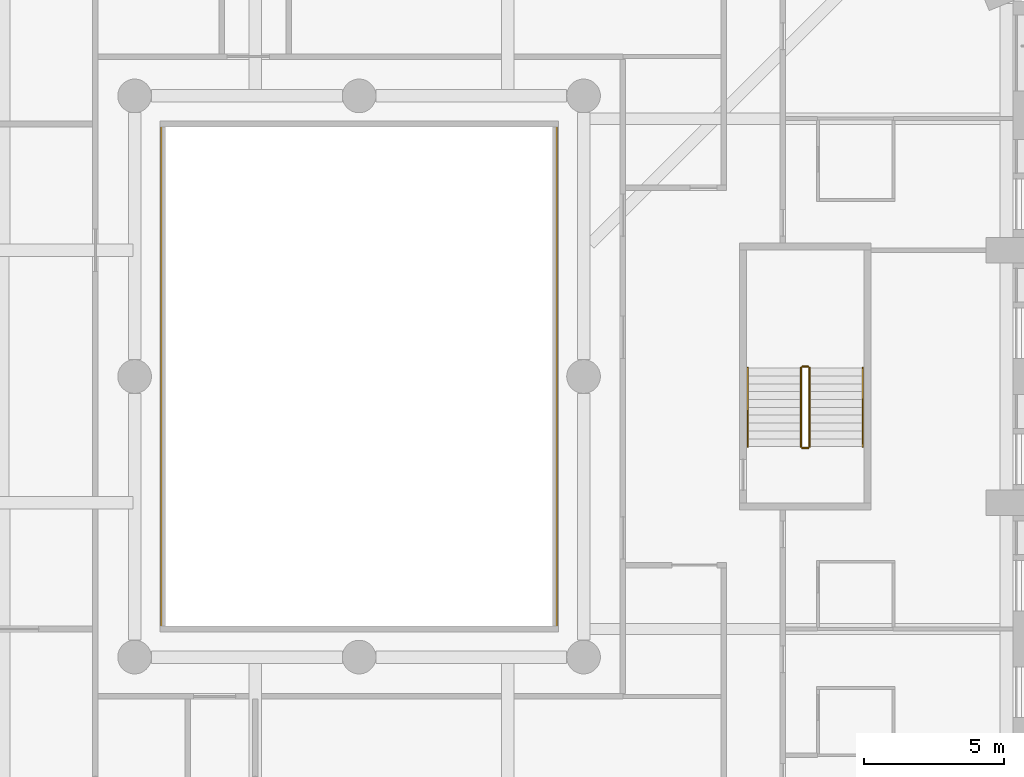
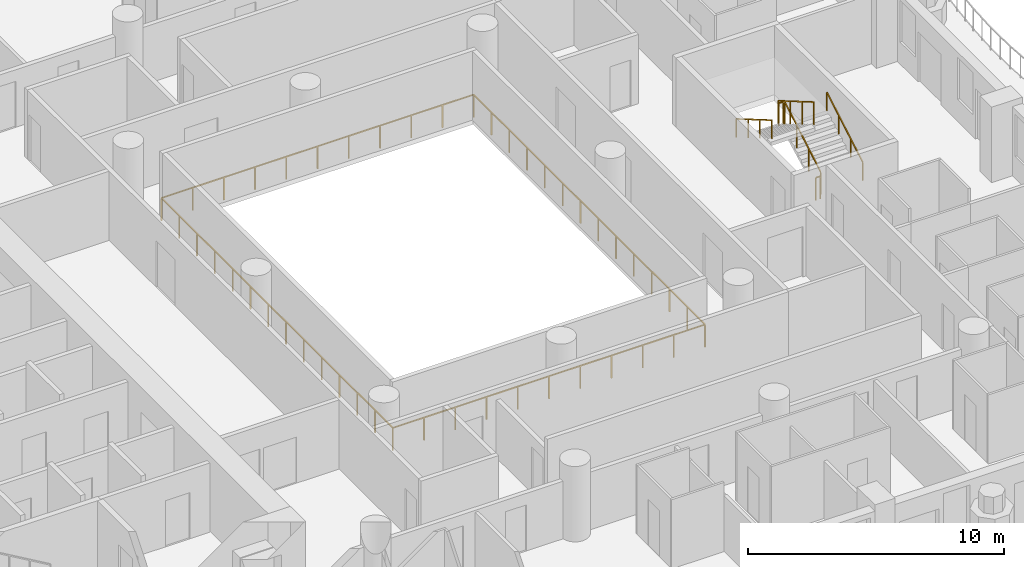
# One storey, part 15 of 20: 7 railings.
"""IFC4 building model written with IfcOpenShell, lengths in metres."""

from ifc_helpers import new_model, si_unit, direction, frame, origin, origin_2d, place, context, subcontext, project, spatial, rectangle, extrude, material, type_object, element, save


model = new_model("IFC4")

# Units and contexts
model_context = context("Model", 3, precision=1e-05, world=origin(), true_north=direction((0.0, 1.0)))
body_context = subcontext(model_context, "Body", "Model", "MODEL_VIEW")
ifc_project = project(units=[si_unit("LENGTHUNIT", "METRE"), si_unit("AREAUNIT", "SQUARE_METRE"), si_unit("VOLUMEUNIT", "CUBIC_METRE"), si_unit("PLANEANGLEUNIT", "RADIAN"), si_unit("MASSUNIT", "GRAM", prefix="KILO")], contexts=[model_context])

# Site, building, storey
site_placement = place(None, origin())
site = spatial("IfcSite", under=ifc_project, at=site_placement, CompositionType="ELEMENT")
building_placement = place(site_placement, origin())
building = spatial("IfcBuilding", under=site, at=building_placement, Name="Cypress Arch Tower", CompositionType="ELEMENT")
storey_placement = place(building_placement, frame((0.0, 0.0, 62.699951171875)))
storey = spatial("IfcBuildingStorey", under=building, at=storey_placement, Name="L09", CompositionType="ELEMENT", Elevation=62.699951171875)

# Railings
ifc_material_1 = material(Name="Stainless steel posts and handrail, laminated glass infill", Category="steel")
railing_type_1 = type_object("IfcRailingType", Name="Atrium guard GR1100A", PredefinedType="GUARDRAIL", material=ifc_material_1)
railing_1_placement = place(storey_placement, frame((8.050048828125, -9.050048828125, 0.0)))
element("IfcRailing", 1, at=railing_1_placement, inside=storey, type_object=railing_type_1, Name="Atrium guard L09", PredefinedType="GUARDRAIL", context=body_context, shape_type="SweptSolid", body=[
    extrude(rectangle(XDim=0.050048828125, YDim=0.050048828125, at=origin_2d()), frame((0.0, 0.0, 1.0751953125), z_axis=(-1.0, 0.0, 0.0), x_axis=(0.0, -1.0, 0.0)), (0.0, 0.0, 1.0), 14.10009765625),
    extrude(rectangle(XDim=0.050048828125, YDim=0.050048828125, at=origin_2d()), frame((-14.10009765625, 0.0, 1.0751953125), z_axis=(0.0, 1.0, 0.0), x_axis=(-1.0, 0.0, 0.0)), (0.0, 0.0, 1.0), 18.10009765625),
    extrude(rectangle(XDim=0.050048828125, YDim=0.050048828125, at=origin_2d()), frame((-14.10009765625, 18.10009765625, 1.0751953125), z_axis=(1.0, 0.0, 0.0), x_axis=(0.0, 1.0, 0.0)), (0.0, 0.0, 1.0), 14.10009765625),
    extrude(rectangle(XDim=0.050048828125, YDim=0.050048828125, at=origin_2d()), frame((0.0, 18.10009765625, 1.0751953125), z_axis=(0.0, -1.0, 0.0), x_axis=(1.0, 0.0, 0.0)), (0.0, 0.0, 1.0), 18.10009765625),
    extrude(rectangle(XDim=0.050048828125, YDim=0.050048828125, at=origin_2d()), origin(), (0.0, 0.0, 1.0), 1.050048828125),
    extrude(rectangle(XDim=0.050048828125, YDim=0.050048828125, at=origin_2d()), frame((-1.409912109375, 0.0, 0.0)), (0.0, 0.0, 1.0), 1.050048828125),
    extrude(rectangle(XDim=0.050048828125, YDim=0.050048828125, at=origin_2d()), frame((-2.820068359375, 0.0, 0.0)), (0.0, 0.0, 1.0), 1.050048828125),
    extrude(rectangle(XDim=0.050048828125, YDim=0.050048828125, at=origin_2d()), frame((-4.22998046875, 0.0, 0.0)), (0.0, 0.0, 1.0), 1.050048828125),
    extrude(rectangle(XDim=0.050048828125, YDim=0.050048828125, at=origin_2d()), frame((-5.64013671875, 0.0, 0.0)), (0.0, 0.0, 1.0), 1.050048828125),
    extrude(rectangle(XDim=0.050048828125, YDim=0.050048828125, at=origin_2d()), frame((-7.050048828125, 0.0, 0.0)), (0.0, 0.0, 1.0), 1.050048828125),
    extrude(rectangle(XDim=0.050048828125, YDim=0.050048828125, at=origin_2d()), frame((-8.4599609375, 0.0, 0.0)), (0.0, 0.0, 1.0), 1.050048828125),
    extrude(rectangle(XDim=0.050048828125, YDim=0.050048828125, at=origin_2d()), frame((-9.8701171875, 0.0, 0.0)), (0.0, 0.0, 1.0), 1.050048828125),
    extrude(rectangle(XDim=0.050048828125, YDim=0.050048828125, at=origin_2d()), frame((-11.280029296875, 0.0, 0.0)), (0.0, 0.0, 1.0), 1.050048828125),
    extrude(rectangle(XDim=0.050048828125, YDim=0.050048828125, at=origin_2d()), frame((-12.690185546875, 0.0, 0.0)), (0.0, 0.0, 1.0), 1.050048828125),
    extrude(rectangle(XDim=0.050048828125, YDim=0.050048828125, at=origin_2d()), frame((-14.10009765625, 0.0, 0.0)), (0.0, 0.0, 1.0), 1.050048828125),
    extrude(rectangle(XDim=0.050048828125, YDim=0.050048828125, at=origin_2d()), frame((-14.10009765625, 1.392333984375, 0.0)), (0.0, 0.0, 1.0), 1.050048828125),
    extrude(rectangle(XDim=0.050048828125, YDim=0.050048828125, at=origin_2d()), frame((-14.10009765625, 2.78466796875, 0.0)), (0.0, 0.0, 1.0), 1.050048828125),
    extrude(rectangle(XDim=0.050048828125, YDim=0.050048828125, at=origin_2d()), frame((-14.10009765625, 4.177001953125, 0.0)), (0.0, 0.0, 1.0), 1.050048828125),
    extrude(rectangle(XDim=0.050048828125, YDim=0.050048828125, at=origin_2d()), frame((-14.10009765625, 5.5693359375, 0.0)), (0.0, 0.0, 1.0), 1.050048828125),
    extrude(rectangle(XDim=0.050048828125, YDim=0.050048828125, at=origin_2d()), frame((-14.10009765625, 6.961669921875, 0.0)), (0.0, 0.0, 1.0), 1.050048828125),
    extrude(rectangle(XDim=0.050048828125, YDim=0.050048828125, at=origin_2d()), frame((-14.10009765625, 8.35400390625, 0.0)), (0.0, 0.0, 1.0), 1.050048828125),
    extrude(rectangle(XDim=0.050048828125, YDim=0.050048828125, at=origin_2d()), frame((-14.10009765625, 9.74609375, 0.0)), (0.0, 0.0, 1.0), 1.050048828125),
    extrude(rectangle(XDim=0.050048828125, YDim=0.050048828125, at=origin_2d()), frame((-14.10009765625, 11.138427734375, 0.0)), (0.0, 0.0, 1.0), 1.050048828125),
    extrude(rectangle(XDim=0.050048828125, YDim=0.050048828125, at=origin_2d()), frame((-14.10009765625, 12.53076171875, 0.0)), (0.0, 0.0, 1.0), 1.050048828125),
    extrude(rectangle(XDim=0.050048828125, YDim=0.050048828125, at=origin_2d()), frame((-14.10009765625, 13.923095703125, 0.0)), (0.0, 0.0, 1.0), 1.050048828125),
    extrude(rectangle(XDim=0.050048828125, YDim=0.050048828125, at=origin_2d()), frame((-14.10009765625, 15.3154296875, 0.0)), (0.0, 0.0, 1.0), 1.050048828125),
    extrude(rectangle(XDim=0.050048828125, YDim=0.050048828125, at=origin_2d()), frame((-14.10009765625, 16.707763671875, 0.0)), (0.0, 0.0, 1.0), 1.050048828125),
    extrude(rectangle(XDim=0.050048828125, YDim=0.050048828125, at=origin_2d()), frame((-14.10009765625, 18.10009765625, 0.0)), (0.0, 0.0, 1.0), 1.050048828125),
    extrude(rectangle(XDim=0.050048828125, YDim=0.050048828125, at=origin_2d()), frame((-12.690185546875, 18.10009765625, 0.0)), (0.0, 0.0, 1.0), 1.050048828125),
    extrude(rectangle(XDim=0.050048828125, YDim=0.050048828125, at=origin_2d()), frame((-11.280029296875, 18.10009765625, 0.0)), (0.0, 0.0, 1.0), 1.050048828125),
    extrude(rectangle(XDim=0.050048828125, YDim=0.050048828125, at=origin_2d()), frame((-9.8701171875, 18.10009765625, 0.0)), (0.0, 0.0, 1.0), 1.050048828125),
    extrude(rectangle(XDim=0.050048828125, YDim=0.050048828125, at=origin_2d()), frame((-8.4599609375, 18.10009765625, 0.0)), (0.0, 0.0, 1.0), 1.050048828125),
    extrude(rectangle(XDim=0.050048828125, YDim=0.050048828125, at=origin_2d()), frame((-7.050048828125, 18.10009765625, 0.0)), (0.0, 0.0, 1.0), 1.050048828125),
    extrude(rectangle(XDim=0.050048828125, YDim=0.050048828125, at=origin_2d()), frame((-5.64013671875, 18.10009765625, 0.0)), (0.0, 0.0, 1.0), 1.050048828125),
    extrude(rectangle(XDim=0.050048828125, YDim=0.050048828125, at=origin_2d()), frame((-4.22998046875, 18.10009765625, 0.0)), (0.0, 0.0, 1.0), 1.050048828125),
    extrude(rectangle(XDim=0.050048828125, YDim=0.050048828125, at=origin_2d()), frame((-2.820068359375, 18.10009765625, 0.0)), (0.0, 0.0, 1.0), 1.050048828125),
    extrude(rectangle(XDim=0.050048828125, YDim=0.050048828125, at=origin_2d()), frame((-1.409912109375, 18.10009765625, 0.0)), (0.0, 0.0, 1.0), 1.050048828125),
    extrude(rectangle(XDim=0.050048828125, YDim=0.050048828125, at=origin_2d()), frame((0.0, 18.10009765625, 0.0)), (0.0, 0.0, 1.0), 1.050048828125),
    extrude(rectangle(XDim=0.050048828125, YDim=0.050048828125, at=origin_2d()), frame((0.0, 16.707763671875, 0.0)), (0.0, 0.0, 1.0), 1.050048828125),
    extrude(rectangle(XDim=0.050048828125, YDim=0.050048828125, at=origin_2d()), frame((0.0, 15.3154296875, 0.0)), (0.0, 0.0, 1.0), 1.050048828125),
    extrude(rectangle(XDim=0.050048828125, YDim=0.050048828125, at=origin_2d()), frame((0.0, 13.923095703125, 0.0)), (0.0, 0.0, 1.0), 1.050048828125),
    extrude(rectangle(XDim=0.050048828125, YDim=0.050048828125, at=origin_2d()), frame((0.0, 12.53076171875, 0.0)), (0.0, 0.0, 1.0), 1.050048828125),
    extrude(rectangle(XDim=0.050048828125, YDim=0.050048828125, at=origin_2d()), frame((0.0, 11.138427734375, 0.0)), (0.0, 0.0, 1.0), 1.050048828125),
    extrude(rectangle(XDim=0.050048828125, YDim=0.050048828125, at=origin_2d()), frame((0.0, 9.74609375, 0.0)), (0.0, 0.0, 1.0), 1.050048828125),
    extrude(rectangle(XDim=0.050048828125, YDim=0.050048828125, at=origin_2d()), frame((0.0, 8.35400390625, 0.0)), (0.0, 0.0, 1.0), 1.050048828125),
    extrude(rectangle(XDim=0.050048828125, YDim=0.050048828125, at=origin_2d()), frame((0.0, 6.961669921875, 0.0)), (0.0, 0.0, 1.0), 1.050048828125),
    extrude(rectangle(XDim=0.050048828125, YDim=0.050048828125, at=origin_2d()), frame((0.0, 5.5693359375, 0.0)), (0.0, 0.0, 1.0), 1.050048828125),
    extrude(rectangle(XDim=0.050048828125, YDim=0.050048828125, at=origin_2d()), frame((0.0, 4.177001953125, 0.0)), (0.0, 0.0, 1.0), 1.050048828125),
    extrude(rectangle(XDim=0.050048828125, YDim=0.050048828125, at=origin_2d()), frame((0.0, 2.78466796875, 0.0)), (0.0, 0.0, 1.0), 1.050048828125),
    extrude(rectangle(XDim=0.050048828125, YDim=0.050048828125, at=origin_2d()), frame((0.0, 1.392333984375, 0.0)), (0.0, 0.0, 1.0), 1.050048828125),
])
ifc_material_2 = material(Name="Black powder-coated steel square bar 48 mm", Category="steel")
railing_type_2 = type_object("IfcRailingType", Name="Stair handrail HR1", PredefinedType="HANDRAIL", material=ifc_material_2)
railing_2_placement = place(storey_placement, frame((18.949951171875, -2.5, 0.16357421875)))
element("IfcRailing", 2, at=railing_2_placement, inside=storey, type_object=railing_type_2, Name="L09 C stair handrail 1", PredefinedType="HANDRAIL", context=body_context, shape_type="SweptSolid", body=[
    extrude(rectangle(XDim=0.048095703125, YDim=0.048095703125, at=origin_2d()), frame((0.0, 0.0, 0.8759765625), z_axis=(0.0, 0.863360870873, 0.504586966384), x_axis=(-1.0, 0.0, 0.0)), (0.0, 0.0, 1.0), 3.2431640625),
    extrude(rectangle(XDim=0.0419921875, YDim=0.0419921875, at=origin_2d()), origin(), (0.0, 0.0, 1.0), 0.851806640625),
    extrude(rectangle(XDim=0.0419921875, YDim=0.0419921875, at=origin_2d()), frame((0.0, 0.933349609375, 0.54541015625)), (0.0, 0.0, 1.0), 0.851806640625),
    extrude(rectangle(XDim=0.0419921875, YDim=0.0419921875, at=origin_2d()), frame((0.0, 1.86669921875, 1.091064453125)), (0.0, 0.0, 1.0), 0.851806640625),
    extrude(rectangle(XDim=0.0419921875, YDim=0.0419921875, at=origin_2d()), frame((0.0, 2.800048828125, 1.636474609375)), (0.0, 0.0, 1.0), 0.851806640625),
])
railing_3_placement = place(storey_placement, frame((14.85009765625, 0.300048828125, 1.963623046875)))
element("IfcRailing", 3, at=railing_3_placement, inside=storey, type_object=railing_type_2, Name="L09 C stair handrail 2", PredefinedType="HANDRAIL", context=body_context, shape_type="SweptSolid", body=[
    extrude(rectangle(XDim=0.048095703125, YDim=0.048095703125, at=origin_2d()), frame((0.0, 0.0, 0.8759765625), z_axis=(0.0, -0.863360870873, 0.504586966384), x_axis=(1.0, 0.0, 0.0)), (0.0, 0.0, 1.0), 3.2431640625),
    extrude(rectangle(XDim=0.0419921875, YDim=0.0419921875, at=origin_2d()), origin(), (0.0, 0.0, 1.0), 0.851806640625),
    extrude(rectangle(XDim=0.0419921875, YDim=0.0419921875, at=origin_2d()), frame((0.0, -0.933349609375, 0.54541015625)), (0.0, 0.0, 1.0), 0.851806640625),
    extrude(rectangle(XDim=0.0419921875, YDim=0.0419921875, at=origin_2d()), frame((0.0, -1.86669921875, 1.091064453125)), (0.0, 0.0, 1.0), 0.851806640625),
    extrude(rectangle(XDim=0.0419921875, YDim=0.0419921875, at=origin_2d()), frame((0.0, -2.800048828125, 1.636474609375)), (0.0, 0.0, 1.0), 0.851806640625),
])
ifc_material_3 = material(Name="Black powder-coated steel balusters", Category="steel")
railing_type_3 = type_object("IfcRailingType", Name="Stair well guard G1", PredefinedType="GUARDRAIL", material=ifc_material_3)
railing_4_placement = place(storey_placement, frame((17.050048828125, -2.5, 0.16357421875)))
element("IfcRailing", 4, at=railing_4_placement, inside=storey, type_object=railing_type_3, Name="L09 C stair guard 1", PredefinedType="GUARDRAIL", context=body_context, shape_type="SweptSolid", body=[
    extrude(rectangle(XDim=0.048095703125, YDim=0.048095703125, at=origin_2d()), frame((0.0, 0.0, 1.076171875), z_axis=(0.0, 0.863360870873, 0.504586966384), x_axis=(-1.0, 0.0, 0.0)), (0.0, 0.0, 1.0), 3.2431640625),
    extrude(rectangle(XDim=0.0419921875, YDim=0.0419921875, at=origin_2d()), origin(), (0.0, 0.0, 1.0), 1.052001953125),
    extrude(rectangle(XDim=0.0419921875, YDim=0.0419921875, at=origin_2d()), frame((0.0, 0.933349609375, 0.54541015625)), (0.0, 0.0, 1.0), 1.052001953125),
    extrude(rectangle(XDim=0.0419921875, YDim=0.0419921875, at=origin_2d()), frame((0.0, 1.86669921875, 1.091064453125)), (0.0, 0.0, 1.0), 1.052001953125),
    extrude(rectangle(XDim=0.0419921875, YDim=0.0419921875, at=origin_2d()), frame((0.0, 2.800048828125, 1.636474609375)), (0.0, 0.0, 1.0), 1.052001953125),
])
railing_5_placement = place(storey_placement, frame((17.0, 0.35009765625, 1.800048828125)))
element("IfcRailing", 5, at=railing_5_placement, inside=storey, type_object=railing_type_3, Name="L09 C stair guard 2", PredefinedType="GUARDRAIL", context=body_context, shape_type="SweptSolid", body=[
    extrude(rectangle(XDim=0.048095703125, YDim=0.048095703125, at=origin_2d()), frame((0.0, 0.0, 1.076171875), z_axis=(-1.0, 0.0, 0.0), x_axis=(0.0, -1.0, 0.0)), (0.0, 0.0, 1.0), 0.199951171875),
    extrude(rectangle(XDim=0.0419921875, YDim=0.0419921875, at=origin_2d()), origin(), (0.0, 0.0, 1.0), 1.052001953125),
    extrude(rectangle(XDim=0.0419921875, YDim=0.0419921875, at=origin_2d()), frame((-0.199951171875, 0.0, 0.0)), (0.0, 0.0, 1.0), 1.052001953125),
])
railing_6_placement = place(storey_placement, frame((16.75, 0.300048828125, 1.963623046875)))
element("IfcRailing", 6, at=railing_6_placement, inside=storey, type_object=railing_type_3, Name="L09 C stair guard 3", PredefinedType="GUARDRAIL", context=body_context, shape_type="SweptSolid", body=[
    extrude(rectangle(XDim=0.048095703125, YDim=0.048095703125, at=origin_2d()), frame((0.0, 0.0, 1.076171875), z_axis=(0.0, -0.863360870873, 0.504586966384), x_axis=(1.0, 0.0, 0.0)), (0.0, 0.0, 1.0), 3.2431640625),
    extrude(rectangle(XDim=0.0419921875, YDim=0.0419921875, at=origin_2d()), origin(), (0.0, 0.0, 1.0), 1.052001953125),
    extrude(rectangle(XDim=0.0419921875, YDim=0.0419921875, at=origin_2d()), frame((0.0, -0.933349609375, 0.54541015625)), (0.0, 0.0, 1.0), 1.052001953125),
    extrude(rectangle(XDim=0.0419921875, YDim=0.0419921875, at=origin_2d()), frame((0.0, -1.86669921875, 1.091064453125)), (0.0, 0.0, 1.0), 1.052001953125),
    extrude(rectangle(XDim=0.0419921875, YDim=0.0419921875, at=origin_2d()), frame((0.0, -2.800048828125, 1.636474609375)), (0.0, 0.0, 1.0), 1.052001953125),
])
railing_7_placement = place(storey_placement, frame((17.0, -2.550048828125, 0.0)))
element("IfcRailing", 7, at=railing_7_placement, inside=storey, type_object=railing_type_3, Name="L09 C stair guard 4", PredefinedType="GUARDRAIL", context=body_context, shape_type="SweptSolid", body=[
    extrude(rectangle(XDim=0.048095703125, YDim=0.048095703125, at=origin_2d()), frame((0.0, 0.0, 1.076171875), z_axis=(-1.0, 0.0, 0.0), x_axis=(0.0, -1.0, 0.0)), (0.0, 0.0, 1.0), 0.199951171875),
    extrude(rectangle(XDim=0.0419921875, YDim=0.0419921875, at=origin_2d()), origin(), (0.0, 0.0, 1.0), 1.052001953125),
    extrude(rectangle(XDim=0.0419921875, YDim=0.0419921875, at=origin_2d()), frame((-0.199951171875, 0.0, 0.0)), (0.0, 0.0, 1.0), 1.052001953125),
])

save(model, "model.ifc")
